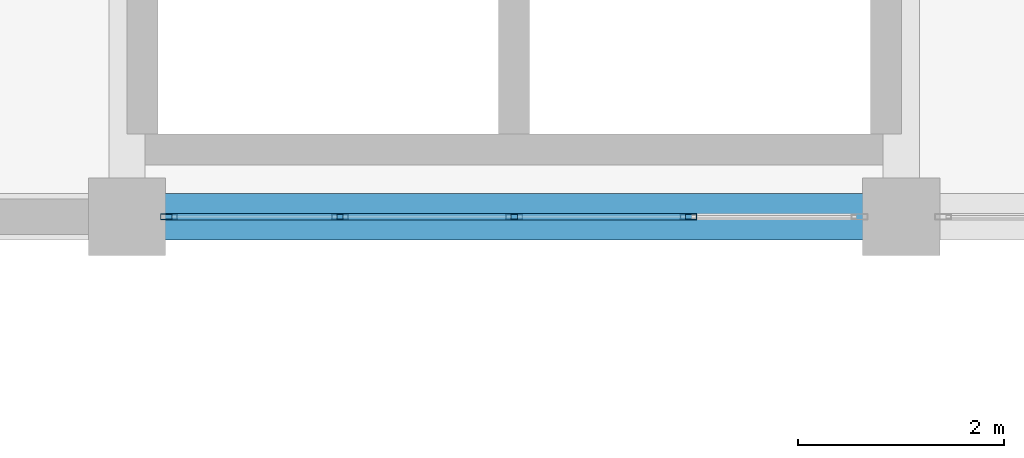
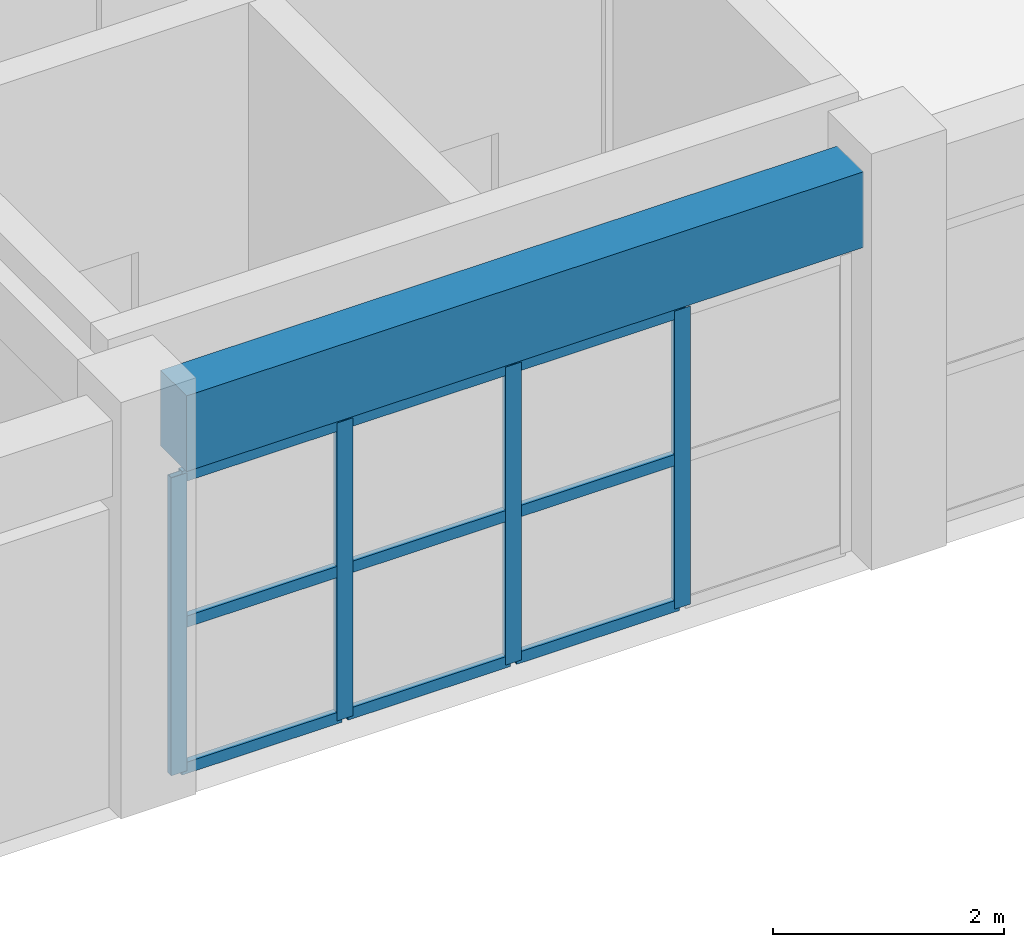
# One storey, part 8 of 90: 13 members, 1 beam, 1 element without a shape of its own.
"""IFC4 building model written with IfcOpenShell, lengths in metres."""

from ifc_helpers import new_model, si_unit, direction, frame, origin, origin_2d, place, context, subcontext, project, spatial, rectangle, hollow_rectangle, extrude, material, layer, layer_set, material_profile, profile_set, type_object, element, aggregate, save


model = new_model("IFC4")

# Units and contexts
model_context = context("Model", 3, precision=1e-05, world=origin(), true_north=direction((0.0, 1.0)))
body_context = subcontext(model_context, "Body", "Model", "MODEL_VIEW")
ifc_project = project(units=[si_unit("LENGTHUNIT", "METRE"), si_unit("AREAUNIT", "SQUARE_METRE"), si_unit("VOLUMEUNIT", "CUBIC_METRE"), si_unit("PLANEANGLEUNIT", "RADIAN"), si_unit("MASSUNIT", "GRAM", prefix="KILO")], contexts=[model_context])

# Site, building, storey
site_placement = place(None, origin())
site = spatial("IfcSite", under=ifc_project, at=site_placement, CompositionType="ELEMENT")
building_placement = place(site_placement, origin())
building = spatial("IfcBuilding", under=site, at=building_placement, Name="Muzn Square Opera House", CompositionType="ELEMENT")
storey_placement = place(building_placement, frame((0.0, 0.0, 9.800048828125)))
storey = spatial("IfcBuildingStorey", under=building, at=storey_placement, Name="L02", CompositionType="ELEMENT", Elevation=9.800048828125)

# Curtain wall, members
ifc_material_1 = material(Name="Low-E laminated acoustic double glazing", Category="glass")
ifc_layer = layer(ifc_material_1, 0.159912109375, Name="Low-E laminated acoustic double glazing", Category="glass")
ifc_layer_set = layer_set([ifc_layer], Name="Low-E laminated acoustic double glazing")
curtain_wall_type = type_object("IfcCurtainWallType", Name="Glazed Curtain Wall Forecourt 6750x3150", PredefinedType="USERDEFINED", material=ifc_layer_set)
curtain_wall_placement = place(storey_placement, origin())
curtain_wall = element("IfcCurtainWall", 1, at=curtain_wall_placement, inside=storey, type_object=curtain_wall_type, Name="Glazed Curtain Wall CW-L02-011", ObjectType="GLAZED CURTAIN WALL", PredefinedType="USERDEFINED")
ifc_material_2 = material(Name="Anodised bronze aluminium 6063-T6", Category="metal")
ifc_material_profile_1 = material_profile(ifc_material_2, hollow_rectangle(XDim=0.06005859375, YDim=0.159912109375, WallThickness=0.00390625, at=origin_2d()), Name="ALU 160x60x4", Category="metal")
ifc_profile_set_1 = profile_set([ifc_material_profile_1], Name="Anodised bronze aluminium 6063-T6")
member_type_1 = type_object("IfcMemberType", Name="Curtain Wall Mullion 160x60", PredefinedType="MULLION", material=ifc_profile_set_1)
member_1_placement = place(storey_placement, frame((58.405029296875, 22.0, 0.0), z_axis=(0.0, 0.0, 1.0), x_axis=(0.0, 1.0, 0.0)))
member_1 = element("IfcMember", 2, at=member_1_placement, type_object=member_type_1, Name="CW-FC-67x31 mullion 1", PredefinedType="MULLION", context=body_context, shape_type="SweptSolid", body=[
    extrude(hollow_rectangle(XDim=0.06005859375, YDim=0.159912109375, WallThickness=0.00390625, at=origin_2d()), origin(), (0.0, 0.0, 1.0), 3.14990234375),
])
member_2_placement = place(storey_placement, frame((60.0625, 22.0, 0.0), z_axis=(0.0, 0.0, 1.0), x_axis=(0.0, 1.0, 0.0)))
member_2 = element("IfcMember", 3, at=member_2_placement, type_object=member_type_1, Name="CW-FC-67x31 mullion 2", PredefinedType="MULLION", context=body_context, shape_type="SweptSolid", body=[
    extrude(hollow_rectangle(XDim=0.06005859375, YDim=0.159912109375, WallThickness=0.00390625, at=origin_2d()), origin(), (0.0, 0.0, 1.0), 3.14990234375),
])
member_3_placement = place(storey_placement, frame((61.75, 22.0, 0.0), z_axis=(0.0, 0.0, 1.0), x_axis=(0.0, 1.0, 0.0)))
member_3 = element("IfcMember", 4, at=member_3_placement, type_object=member_type_1, Name="CW-FC-67x31 mullion 3", PredefinedType="MULLION", context=body_context, shape_type="SweptSolid", body=[
    extrude(hollow_rectangle(XDim=0.06005859375, YDim=0.159912109375, WallThickness=0.00390625, at=origin_2d()), origin(), (0.0, 0.0, 1.0), 3.14990234375),
])
member_4_placement = place(storey_placement, frame((63.4375, 22.0, 0.0), z_axis=(0.0, 0.0, 1.0), x_axis=(0.0, 1.0, 0.0)))
member_4 = element("IfcMember", 5, at=member_4_placement, type_object=member_type_1, Name="CW-FC-67x31 mullion 4", PredefinedType="MULLION", context=body_context, shape_type="SweptSolid", body=[
    extrude(hollow_rectangle(XDim=0.06005859375, YDim=0.159912109375, WallThickness=0.00390625, at=origin_2d()), origin(), (0.0, 0.0, 1.0), 3.14990234375),
])
ifc_material_profile_2 = material_profile(ifc_material_2, hollow_rectangle(XDim=0.06005859375, YDim=0.1201171875, WallThickness=0.00390625, at=origin_2d()), Name="ALU 120x60x4", Category="metal")
ifc_profile_set_2 = profile_set([ifc_material_profile_2], Name="Anodised bronze aluminium 6063-T6")
member_type_2 = type_object("IfcMemberType", Name="Curtain Wall Transom 120x60", PredefinedType="USERDEFINED", material=ifc_profile_set_2)
member_5_placement = place(storey_placement, frame((58.43505859375, 22.0, 0.030029296875), z_axis=(1.0, 0.0, 0.0), x_axis=(0.0, 1.0, 0.0)))
member_5 = element("IfcMember", 6, at=member_5_placement, type_object=member_type_2, Name="CW-FC-67x31 transom 1.1", ObjectType="TRANSOM", PredefinedType="USERDEFINED", context=body_context, shape_type="SweptSolid", body=[
    extrude(hollow_rectangle(XDim=0.06005859375, YDim=0.1201171875, WallThickness=0.00390625, at=origin_2d()), origin(), (0.0, 0.0, 1.0), 1.597412109375),
])
member_6_placement = place(storey_placement, frame((58.43505859375, 22.0, 1.574951171875), z_axis=(1.0, 0.0, 0.0), x_axis=(0.0, 1.0, 0.0)))
member_6 = element("IfcMember", 7, at=member_6_placement, type_object=member_type_2, Name="CW-FC-67x31 transom 1.2", ObjectType="TRANSOM", PredefinedType="USERDEFINED", context=body_context, shape_type="SweptSolid", body=[
    extrude(hollow_rectangle(XDim=0.06005859375, YDim=0.1201171875, WallThickness=0.00390625, at=origin_2d()), origin(), (0.0, 0.0, 1.0), 1.597412109375),
])
member_7_placement = place(storey_placement, frame((58.43505859375, 22.0, 3.119873046875), z_axis=(1.0, 0.0, 0.0), x_axis=(0.0, 1.0, 0.0)))
member_7 = element("IfcMember", 8, at=member_7_placement, type_object=member_type_2, Name="CW-FC-67x31 transom 1.3", ObjectType="TRANSOM", PredefinedType="USERDEFINED", context=body_context, shape_type="SweptSolid", body=[
    extrude(hollow_rectangle(XDim=0.06005859375, YDim=0.1201171875, WallThickness=0.00390625, at=origin_2d()), origin(), (0.0, 0.0, 1.0), 1.597412109375),
])
member_8_placement = place(storey_placement, frame((60.092529296875, 22.0, 0.030029296875), z_axis=(1.0, 0.0, 0.0), x_axis=(0.0, 1.0, 0.0)))
member_8 = element("IfcMember", 9, at=member_8_placement, type_object=member_type_2, Name="CW-FC-67x31 transom 2.1", ObjectType="TRANSOM", PredefinedType="USERDEFINED", context=body_context, shape_type="SweptSolid", body=[
    extrude(hollow_rectangle(XDim=0.06005859375, YDim=0.1201171875, WallThickness=0.00390625, at=origin_2d()), origin(), (0.0, 0.0, 1.0), 1.62744140625),
])
member_9_placement = place(storey_placement, frame((60.092529296875, 22.0, 1.574951171875), z_axis=(1.0, 0.0, 0.0), x_axis=(0.0, 1.0, 0.0)))
member_9 = element("IfcMember", 10, at=member_9_placement, type_object=member_type_2, Name="CW-FC-67x31 transom 2.2", ObjectType="TRANSOM", PredefinedType="USERDEFINED", context=body_context, shape_type="SweptSolid", body=[
    extrude(hollow_rectangle(XDim=0.06005859375, YDim=0.1201171875, WallThickness=0.00390625, at=origin_2d()), origin(), (0.0, 0.0, 1.0), 1.62744140625),
])
member_10_placement = place(storey_placement, frame((60.092529296875, 22.0, 3.119873046875), z_axis=(1.0, 0.0, 0.0), x_axis=(0.0, 1.0, 0.0)))
member_10 = element("IfcMember", 11, at=member_10_placement, type_object=member_type_2, Name="CW-FC-67x31 transom 2.3", ObjectType="TRANSOM", PredefinedType="USERDEFINED", context=body_context, shape_type="SweptSolid", body=[
    extrude(hollow_rectangle(XDim=0.06005859375, YDim=0.1201171875, WallThickness=0.00390625, at=origin_2d()), origin(), (0.0, 0.0, 1.0), 1.62744140625),
])
member_11_placement = place(storey_placement, frame((61.780029296875, 22.0, 0.030029296875), z_axis=(1.0, 0.0, 0.0), x_axis=(0.0, 1.0, 0.0)))
member_11 = element("IfcMember", 12, at=member_11_placement, type_object=member_type_2, Name="CW-FC-67x31 transom 3.1", ObjectType="TRANSOM", PredefinedType="USERDEFINED", context=body_context, shape_type="SweptSolid", body=[
    extrude(hollow_rectangle(XDim=0.06005859375, YDim=0.1201171875, WallThickness=0.00390625, at=origin_2d()), origin(), (0.0, 0.0, 1.0), 1.62744140625),
])
member_12_placement = place(storey_placement, frame((61.780029296875, 22.0, 1.574951171875), z_axis=(1.0, 0.0, 0.0), x_axis=(0.0, 1.0, 0.0)))
member_12 = element("IfcMember", 13, at=member_12_placement, type_object=member_type_2, Name="CW-FC-67x31 transom 3.2", ObjectType="TRANSOM", PredefinedType="USERDEFINED", context=body_context, shape_type="SweptSolid", body=[
    extrude(hollow_rectangle(XDim=0.06005859375, YDim=0.1201171875, WallThickness=0.00390625, at=origin_2d()), origin(), (0.0, 0.0, 1.0), 1.62744140625),
])
member_13_placement = place(storey_placement, frame((61.780029296875, 22.0, 3.119873046875), z_axis=(1.0, 0.0, 0.0), x_axis=(0.0, 1.0, 0.0)))
member_13 = element("IfcMember", 14, at=member_13_placement, type_object=member_type_2, Name="CW-FC-67x31 transom 3.3", ObjectType="TRANSOM", PredefinedType="USERDEFINED", context=body_context, shape_type="SweptSolid", body=[
    extrude(hollow_rectangle(XDim=0.06005859375, YDim=0.1201171875, WallThickness=0.00390625, at=origin_2d()), origin(), (0.0, 0.0, 1.0), 1.62744140625),
])
aggregate(curtain_wall, [member_1, member_2, member_3, member_4, member_5, member_6, member_7, member_8, member_9, member_10, member_11, member_12, member_13])

# Beam
ifc_material_3 = material(Name="Concrete C40/50", Category="concrete")
ifc_material_profile_3 = material_profile(ifc_material_3, rectangle(XDim=0.449951171875, YDim=0.800048828125, at=origin_2d()), Name="RCB 450x800", Category="concrete")
ifc_profile_set_3 = profile_set([ifc_material_profile_3], Name="Concrete C40/50")
beam_type = type_object("IfcBeamType", Name="Primary Girder 450x800", PredefinedType="BEAM", material=ifc_profile_set_3)
beam_placement = place(storey_placement, frame((58.366943359375, 22.0, 3.719970703125), z_axis=(1.0, 0.0, 0.0), x_axis=(0.0, 1.0, 0.0)))
element("IfcBeam", 15, at=beam_placement, inside=storey, type_object=beam_type, Name="Primary Girder BM-L02-BM-PG800-584_220_651_220-1951", PredefinedType="BEAM", context=body_context, shape_type="SweptSolid", body=[
    extrude(rectangle(XDim=0.449951171875, YDim=0.800048828125, at=origin_2d()), origin(), (0.0, 0.0, 1.0), 6.76611328125),
])

save(model, "model.ifc")
